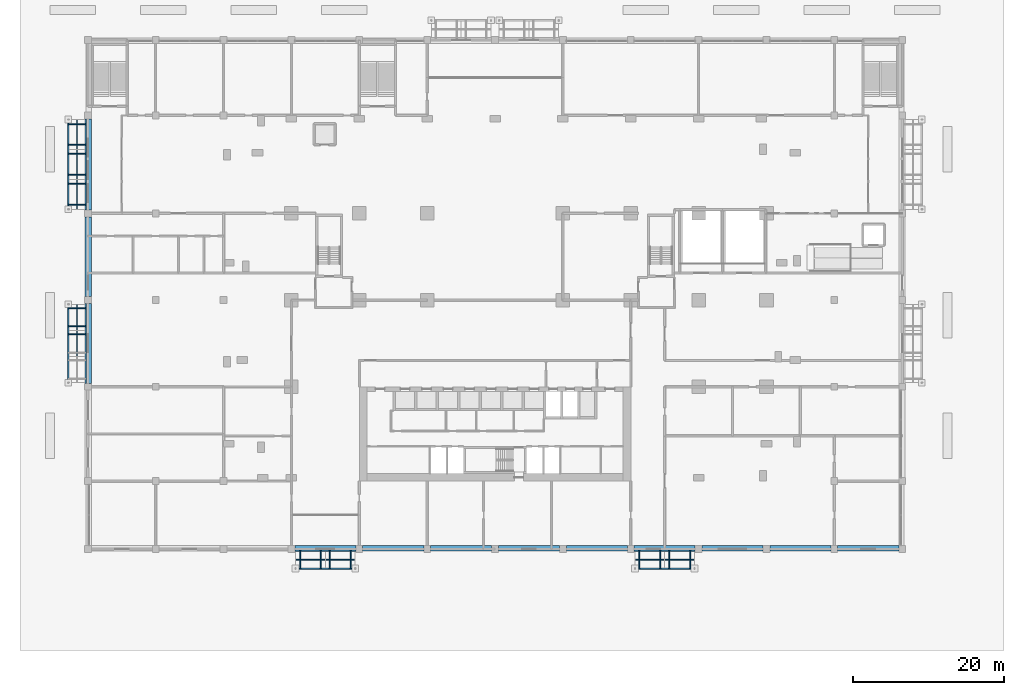
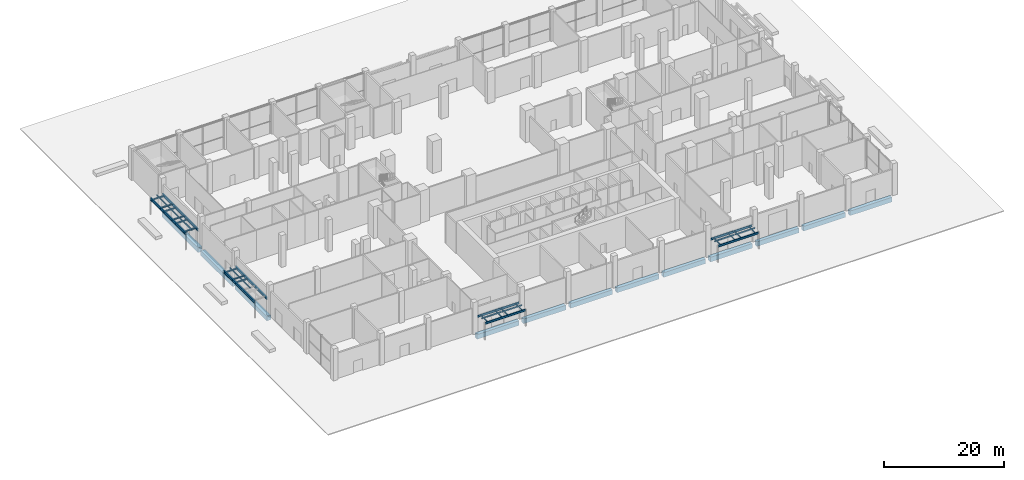
# One storey, part 21 of 39: 37 beams, 9 members.
"""IFC4 building model written with IfcOpenShell, lengths in metres."""

from ifc_helpers import new_model, si_unit, direction, frame, origin, origin_2d, place, context, subcontext, project, spatial, rectangle, hollow_rectangle, i_section, extrude, material, material_profile, profile_set, type_object, element, save


model = new_model("IFC4")

# Units and contexts
model_context = context("Model", 3, precision=1e-05, world=origin(), true_north=direction((0.0, 1.0)))
body_context = subcontext(model_context, "Body", "Model", "MODEL_VIEW")
ifc_project = project(units=[si_unit("LENGTHUNIT", "METRE"), si_unit("AREAUNIT", "SQUARE_METRE"), si_unit("VOLUMEUNIT", "CUBIC_METRE"), si_unit("PLANEANGLEUNIT", "RADIAN"), si_unit("MASSUNIT", "GRAM", prefix="KILO")], contexts=[model_context])

# Site, building, storey
site_placement = place(None, origin())
site = spatial("IfcSite", under=ifc_project, at=site_placement, CompositionType="ELEMENT")
building_placement = place(site_placement, origin())
building = spatial("IfcBuilding", under=site, at=building_placement, Name="Brigalow Station Residences", CompositionType="ELEMENT")
storey_placement = place(building_placement, origin())
storey = spatial("IfcBuildingStorey", under=building, at=storey_placement, Name="L00", CompositionType="ELEMENT", Elevation=0.0)

# Beams
ifc_material_1 = material(Name="Steel Grade 300 to AS/NZS 3679.1", Category="steel")
ifc_material_profile_1 = material_profile(ifc_material_1, i_section(OverallWidth=0.133056640625, OverallDepth=0.203125, WebThickness=0.005859375, FlangeThickness=0.0078125, FilletRadius=0.0087890625, at=origin_2d()), Name="200UB25.4")
ifc_profile_set_1 = profile_set([ifc_material_profile_1], Name="Steel Grade 300 to AS/NZS 3679.1")
beam_type_1 = type_object("IfcBeamType", Name="CANOPY ARM 200UB25.4", PredefinedType="BEAM", material=ifc_profile_set_1)
for number, where, z_axis, x_axis, name in (
    (1, (10.142578125, -9.242919921875, 3.326416015625), (0.0, -1.0, 0.0), (1.0, 0.0, 0.0), "L00/canopy-arm/S-resvest-1-1"),
    (2, (12.907470703125, -9.242919921875, 3.326416015625), (0.0, -1.0, 0.0), (1.0, 0.0, 0.0), "L00/canopy-arm/S-resvest-1-2"),
    (3, (14.092529296875, -9.242919921875, 3.326416015625), (0.0, -1.0, 0.0), (1.0, 0.0, 0.0), "L00/canopy-arm/S-resvest-2-1"),
    (4, (16.857421875, -9.242919921875, 3.326416015625), (0.0, -1.0, 0.0), (1.0, 0.0, 0.0), "L00/canopy-arm/S-resvest-2-2"),
    (5, (55.142578125, -9.242919921875, 3.326416015625), (0.0, -1.0, 0.0), (1.0, 0.0, 0.0), "L00/canopy-arm/S-svc-1-1"),
    (6, (57.907470703125, -9.242919921875, 3.326416015625), (0.0, -1.0, 0.0), (1.0, 0.0, 0.0), "L00/canopy-arm/S-svc-1-2"),
    (7, (59.092529296875, -9.242919921875, 3.326416015625), (0.0, -1.0, 0.0), (1.0, 0.0, 0.0), "L00/canopy-arm/S-svc-2-1"),
    (8, (61.857421875, -9.242919921875, 3.326416015625), (0.0, -1.0, 0.0), (1.0, 0.0, 0.0), "L00/canopy-arm/S-svc-2-2"),
):
    element("IfcBeam", number, at=place(storey_placement, frame(where, z_axis=z_axis, x_axis=x_axis)), inside=storey, type_object=beam_type_1, Name=name, PredefinedType="BEAM", context=body_context, shape_type="SweptSolid", body=[
        extrude(i_section(OverallWidth=0.133056640625, OverallDepth=0.203125, WebThickness=0.005859375, FlangeThickness=0.0078125, FilletRadius=0.0087890625, at=origin_2d()), origin(), (0.0, 0.0, 1.0), 2.3642578125),
    ])
for number, where, z_axis, x_axis, name in (
    (9, (-18.259521484375, 36.64501953125, 3.326416015625), (-1.0, 0.0, 0.0), (0.0, -1.0, 0.0), "L00/canopy-arm/W-entry-1-1"),
    (10, (-18.259521484375, 39.421630859375, 3.326416015625), (-1.0, 0.0, 0.0), (0.0, -1.0, 0.0), "L00/canopy-arm/W-entry-1-2"),
    (11, (-18.259521484375, 40.61181640625, 3.326416015625), (-1.0, 0.0, 0.0), (0.0, -1.0, 0.0), "L00/canopy-arm/W-entry-2-1"),
    (12, (-18.259521484375, 43.38818359375, 3.326416015625), (-1.0, 0.0, 0.0), (0.0, -1.0, 0.0), "L00/canopy-arm/W-entry-2-2"),
    (13, (-18.259521484375, 44.578369140625, 3.326416015625), (-1.0, 0.0, 0.0), (0.0, -1.0, 0.0), "L00/canopy-arm/W-entry-3-1"),
    (14, (-18.259521484375, 47.35498046875, 3.326416015625), (-1.0, 0.0, 0.0), (0.0, -1.0, 0.0), "L00/canopy-arm/W-entry-3-2"),
    (15, (-18.259521484375, 19.46337890625, 3.326416015625), (-1.0, 0.0, 0.0), (0.0, -1.0, 0.0), "L00/canopy-arm/W-exit-2-2"),
    (16, (-18.259521484375, 20.50341796875, 3.326416015625), (-1.0, 0.0, 0.0), (0.0, -1.0, 0.0), "L00/canopy-arm/W-exit-3-1"),
    (17, (-18.259521484375, 22.929931640625, 3.326416015625), (-1.0, 0.0, 0.0), (0.0, -1.0, 0.0), "L00/canopy-arm/W-exit-3-2"),
):
    element("IfcBeam", number, at=place(storey_placement, frame(where, z_axis=z_axis, x_axis=x_axis)), inside=storey, type_object=beam_type_1, Name=name, PredefinedType="BEAM", context=body_context, shape_type="SweptSolid", body=[
        extrude(i_section(OverallWidth=0.133056640625, OverallDepth=0.203125, WebThickness=0.005859375, FlangeThickness=0.0078125, FilletRadius=0.0087890625, at=origin_2d()), origin(), (0.0, 0.0, 1.0), 2.330810546875),
    ])
ifc_material_2 = material(Name="Steel Grade 300 to AS/NZS 3679.1", Category="steel")
ifc_material_profile_2 = material_profile(ifc_material_2, i_section(OverallWidth=0.177978515625, OverallDepth=0.406494140625, WebThickness=0.0078125, FlangeThickness=0.0126953125, FilletRadius=0.011474609375, at=origin_2d()), Name="410UB59.7")
ifc_profile_set_2 = profile_set([ifc_material_profile_2], Name="Steel Grade 300 to AS/NZS 3679.1")
beam_type_2 = type_object("IfcBeamType", Name="CANOPY EDGE BEAM 410UB59.7", PredefinedType="BEAM", material=ifc_profile_set_2)
beam_1_placement = place(storey_placement, frame((9.449951171875, -9.239013671875, 3.27490234375), z_axis=(1.0, 0.0, 0.0), x_axis=(0.0, 1.0, 0.0)))
element("IfcBeam", 18, at=beam_1_placement, inside=storey, type_object=beam_type_2, Name="L00/canopy-beam/S-resvest", PredefinedType="BEAM", context=body_context, shape_type="SweptSolid", body=[
    extrude(i_section(OverallWidth=0.177978515625, OverallDepth=0.406494140625, WebThickness=0.0078125, FlangeThickness=0.0126953125, FilletRadius=0.011474609375, at=origin_2d()), origin(), (0.0, 0.0, 1.0), 8.10009765625),
])
beam_2_placement = place(storey_placement, frame((9.60009765625, -11.611083984375, 3.27490234375), z_axis=(1.0, 0.0, 0.0), x_axis=(0.0, 1.0, 0.0)))
element("IfcBeam", 19, at=beam_2_placement, inside=storey, type_object=beam_type_2, Name="L00/canopy-tip/S-resvest", PredefinedType="BEAM", context=body_context, shape_type="SweptSolid", body=[
    extrude(i_section(OverallWidth=0.177978515625, OverallDepth=0.406494140625, WebThickness=0.0078125, FlangeThickness=0.0126953125, FilletRadius=0.011474609375, at=origin_2d()), origin(), (0.0, 0.0, 1.0), 7.7998046875),
])
beam_3_placement = place(storey_placement, frame((54.449951171875, -9.239013671875, 3.27490234375), z_axis=(1.0, 0.0, 0.0), x_axis=(0.0, 1.0, 0.0)))
element("IfcBeam", 20, at=beam_3_placement, inside=storey, type_object=beam_type_2, Name="L00/canopy-beam/S-svc", PredefinedType="BEAM", context=body_context, shape_type="SweptSolid", body=[
    extrude(i_section(OverallWidth=0.177978515625, OverallDepth=0.406494140625, WebThickness=0.0078125, FlangeThickness=0.0126953125, FilletRadius=0.011474609375, at=origin_2d()), origin(), (0.0, 0.0, 1.0), 8.10009765625),
])
beam_4_placement = place(storey_placement, frame((54.60009765625, -11.611083984375, 3.27490234375), z_axis=(1.0, 0.0, 0.0), x_axis=(0.0, 1.0, 0.0)))
element("IfcBeam", 21, at=beam_4_placement, inside=storey, type_object=beam_type_2, Name="L00/canopy-tip/S-svc", PredefinedType="BEAM", context=body_context, shape_type="SweptSolid", body=[
    extrude(i_section(OverallWidth=0.177978515625, OverallDepth=0.406494140625, WebThickness=0.0078125, FlangeThickness=0.0126953125, FilletRadius=0.011474609375, at=origin_2d()), origin(), (0.0, 0.0, 1.0), 7.7998046875),
])
ifc_material_3 = material(Name="Steel Grade 300 to AS/NZS 3679.1", Category="steel")
ifc_material_profile_3 = material_profile(ifc_material_3, i_section(OverallWidth=0.208984375, OverallDepth=0.532958984375, WebThickness=0.01025390625, FlangeThickness=0.015625, FilletRadius=0.013916015625, at=origin_2d()), Name="530UB92.4")
ifc_profile_set_3 = profile_set([ifc_material_profile_3], Name="Steel Grade 300 to AS/NZS 3679.1")
beam_type_3 = type_object("IfcBeamType", Name="CANOPY EDGE BEAM OVER 10 M SPAN 530UB92.4", PredefinedType="BEAM", material=ifc_profile_set_3)
beam_5_placement = place(storey_placement, frame((-18.25439453125, 35.949951171875, 3.21142578125), z_axis=(0.0, 1.0, 0.0), x_axis=(-1.0, 0.0, 0.0)))
element("IfcBeam", 22, at=beam_5_placement, inside=storey, type_object=beam_type_3, Name="L00/canopy-beam/W-entry", PredefinedType="BEAM", context=body_context, shape_type="SweptSolid", body=[
    extrude(i_section(OverallWidth=0.208984375, OverallDepth=0.532958984375, WebThickness=0.01025390625, FlangeThickness=0.015625, FilletRadius=0.013916015625, at=origin_2d()), origin(), (0.0, 0.0, 1.0), 12.10009765625),
])
beam_6_placement = place(storey_placement, frame((-20.595458984375, 36.10009765625, 3.21142578125), z_axis=(0.0, 1.0, 0.0), x_axis=(-1.0, 0.0, 0.0)))
element("IfcBeam", 23, at=beam_6_placement, inside=storey, type_object=beam_type_3, Name="L00/canopy-tip/W-entry", PredefinedType="BEAM", context=body_context, shape_type="SweptSolid", body=[
    extrude(i_section(OverallWidth=0.208984375, OverallDepth=0.532958984375, WebThickness=0.01025390625, FlangeThickness=0.015625, FilletRadius=0.013916015625, at=origin_2d()), origin(), (0.0, 0.0, 1.0), 11.7998046875),
])
beam_7_placement = place(storey_placement, frame((-18.25439453125, 12.949951171875, 3.21142578125), z_axis=(0.0, 1.0, 0.0), x_axis=(-1.0, 0.0, 0.0)))
element("IfcBeam", 24, at=beam_7_placement, inside=storey, type_object=beam_type_3, Name="L00/canopy-beam/W-exit", PredefinedType="BEAM", context=body_context, shape_type="SweptSolid", body=[
    extrude(i_section(OverallWidth=0.208984375, OverallDepth=0.532958984375, WebThickness=0.01025390625, FlangeThickness=0.015625, FilletRadius=0.013916015625, at=origin_2d()), origin(), (0.0, 0.0, 1.0), 10.60009765625),
])
beam_8_placement = place(storey_placement, frame((-20.595458984375, 13.10009765625, 3.21142578125), z_axis=(0.0, 1.0, 0.0), x_axis=(-1.0, 0.0, 0.0)))
element("IfcBeam", 25, at=beam_8_placement, inside=storey, type_object=beam_type_3, Name="L00/canopy-tip/W-exit", PredefinedType="BEAM", context=body_context, shape_type="SweptSolid", body=[
    extrude(i_section(OverallWidth=0.208984375, OverallDepth=0.532958984375, WebThickness=0.01025390625, FlangeThickness=0.015625, FilletRadius=0.013916015625, at=origin_2d()), origin(), (0.0, 0.0, 1.0), 10.2998046875),
])

# Members
ifc_material_4 = material(Name="Steel Grade C450L0 to AS/NZS 1163", Category="steel")
ifc_material_profile_4 = material_profile(ifc_material_4, hollow_rectangle(XDim=0.14990234375, YDim=0.25, WallThickness=0.009033203125, InnerFilletRadius=0.013427734375, OuterFilletRadius=0.0224609375, at=origin_2d()), Name="250x150x9.0RHS")
ifc_profile_set_4 = profile_set([ifc_material_profile_4], Name="Steel Grade C450L0 to AS/NZS 1163")
member_type = type_object("IfcMemberType", Name="CANOPY GLAZING RAIL 250x150x9.0RHS", PredefinedType="MEMBER", material=ifc_profile_set_4)
for number, where, z_axis, x_axis, name in (
    (26, (9.610107421875, -10.425048828125, 3.552978515625), (1.0, 0.0, 0.0), (0.0, 1.0, 0.0), "L00/canopy-rail/S-resvest-1"),
    (27, (13.56005859375, -10.425048828125, 3.552978515625), (1.0, 0.0, 0.0), (0.0, 1.0, 0.0), "L00/canopy-rail/S-resvest-2"),
    (28, (54.610107421875, -10.425048828125, 3.552978515625), (1.0, 0.0, 0.0), (0.0, 1.0, 0.0), "L00/canopy-rail/S-svc-1"),
    (29, (58.56005859375, -10.425048828125, 3.552978515625), (1.0, 0.0, 0.0), (0.0, 1.0, 0.0), "L00/canopy-rail/S-svc-2"),
):
    element("IfcMember", number, at=place(storey_placement, frame(where, z_axis=z_axis, x_axis=x_axis)), inside=storey, type_object=member_type, Name=name, PredefinedType="MEMBER", context=body_context, shape_type="SweptSolid", body=[
        extrude(hollow_rectangle(XDim=0.14990234375, YDim=0.25, WallThickness=0.009033203125, InnerFilletRadius=0.013427734375, OuterFilletRadius=0.0224609375, at=origin_2d()), origin(), (0.0, 0.0, 1.0), 3.829833984375),
    ])
for number, where, z_axis, x_axis, name in (
    (30, (-19.425048828125, 36.110107421875, 3.552978515625), (0.0, 1.0, 0.0), (-1.0, 0.0, 0.0), "L00/canopy-rail/W-entry-1"),
    (31, (-19.425048828125, 40.07666015625, 3.552978515625), (0.0, 1.0, 0.0), (-1.0, 0.0, 0.0), "L00/canopy-rail/W-entry-2"),
    (32, (-19.425048828125, 44.043212890625, 3.552978515625), (0.0, 1.0, 0.0), (-1.0, 0.0, 0.0), "L00/canopy-rail/W-entry-3"),
):
    element("IfcMember", number, at=place(storey_placement, frame(where, z_axis=z_axis, x_axis=x_axis)), inside=storey, type_object=member_type, Name=name, PredefinedType="MEMBER", context=body_context, shape_type="SweptSolid", body=[
        extrude(hollow_rectangle(XDim=0.14990234375, YDim=0.25, WallThickness=0.009033203125, InnerFilletRadius=0.013427734375, OuterFilletRadius=0.0224609375, at=origin_2d()), origin(), (0.0, 0.0, 1.0), 3.8466796875),
    ])
for number, where, z_axis, x_axis, name in (
    (33, (-19.425048828125, 16.57666015625, 3.552978515625), (0.0, 1.0, 0.0), (-1.0, 0.0, 0.0), "L00/canopy-rail/W-exit-2"),
    (34, (-19.425048828125, 20.043212890625, 3.552978515625), (0.0, 1.0, 0.0), (-1.0, 0.0, 0.0), "L00/canopy-rail/W-exit-3"),
):
    element("IfcMember", number, at=place(storey_placement, frame(where, z_axis=z_axis, x_axis=x_axis)), inside=storey, type_object=member_type, Name=name, PredefinedType="MEMBER", context=body_context, shape_type="SweptSolid", body=[
        extrude(hollow_rectangle(XDim=0.14990234375, YDim=0.25, WallThickness=0.009033203125, InnerFilletRadius=0.013427734375, OuterFilletRadius=0.0224609375, at=origin_2d()), origin(), (0.0, 0.0, 1.0), 3.3466796875),
    ])

# Beams
ifc_material_5 = material(Name="Concrete C65", Category="concrete")
ifc_material_profile_5 = material_profile(ifc_material_5, rectangle(XDim=0.699951171875, YDim=0.949951171875, at=origin_2d()), Name="RC700x950")
ifc_profile_set_5 = profile_set([ifc_material_profile_5], Name="Concrete C65")
beam_type_4 = type_object("IfcBeamType", Name="EDGE GIRDER 4.5 TO 9.9 M SPAN 700x950 C65", PredefinedType="BEAM", material=ifc_profile_set_5)
for number, where, z_axis, x_axis, name in (
    (35, (9.449951171875, -8.89990234375, -0.876953125), (1.0, 0.0, 0.0), (0.0, 1.0, 0.0), "PODIUM EDGE GIRDER S4 L00"),
    (36, (18.449951171875, -8.89990234375, -0.876953125), (1.0, 0.0, 0.0), (0.0, 1.0, 0.0), "PODIUM EDGE GIRDER S5 L00"),
    (37, (27.449951171875, -8.89990234375, -0.876953125), (1.0, 0.0, 0.0), (0.0, 1.0, 0.0), "PODIUM EDGE GIRDER S6 L00"),
    (38, (36.449951171875, -8.89990234375, -0.876953125), (1.0, 0.0, 0.0), (0.0, 1.0, 0.0), "PODIUM EDGE GIRDER S7 L00"),
    (39, (45.449951171875, -8.89990234375, -0.876953125), (1.0, 0.0, 0.0), (0.0, 1.0, 0.0), "PODIUM EDGE GIRDER S8 L00"),
    (40, (54.449951171875, -8.89990234375, -0.876953125), (1.0, 0.0, 0.0), (0.0, 1.0, 0.0), "PODIUM EDGE GIRDER S9 L00"),
    (41, (63.449951171875, -8.89990234375, -0.876953125), (1.0, 0.0, 0.0), (0.0, 1.0, 0.0), "PODIUM EDGE GIRDER S10 L00"),
    (42, (72.449951171875, -8.89990234375, -0.876953125), (1.0, 0.0, 0.0), (0.0, 1.0, 0.0), "PODIUM EDGE GIRDER S11 L00"),
    (43, (81.449951171875, -8.89990234375, -0.876953125), (1.0, 0.0, 0.0), (0.0, 1.0, 0.0), "PODIUM EDGE GIRDER S12 L00"),
):
    element("IfcBeam", number, at=place(storey_placement, frame(where, z_axis=z_axis, x_axis=x_axis)), inside=storey, type_object=beam_type_4, Name=name, PredefinedType="BEAM", context=body_context, shape_type="SweptSolid", body=[
        extrude(rectangle(XDim=0.699951171875, YDim=0.949951171875, at=origin_2d()), origin(), (0.0, 0.0, 1.0), 8.10009765625),
    ])
ifc_material_6 = material(Name="Concrete C65", Category="concrete")
ifc_material_profile_6 = material_profile(ifc_material_6, rectangle(XDim=0.800048828125, YDim=0.949951171875, at=origin_2d()), Name="RC800x950")
ifc_profile_set_6 = profile_set([ifc_material_profile_6], Name="Concrete C65")
beam_type_5 = type_object("IfcBeamType", Name="EDGE GIRDER OVER 9.9 M SPAN 800x950 C65", PredefinedType="BEAM", material=ifc_profile_set_6)
for number, where, z_axis, x_axis, name in (
    (44, (-17.949951171875, 12.949951171875, -0.876953125), (0.0, 1.0, 0.0), (-1.0, 0.0, 0.0), "PODIUM EDGE GIRDER W33 L00"),
    (45, (-17.949951171875, 24.449951171875, -0.876953125), (0.0, 1.0, 0.0), (-1.0, 0.0, 0.0), "PODIUM EDGE GIRDER W34 L00"),
):
    element("IfcBeam", number, at=place(storey_placement, frame(where, z_axis=z_axis, x_axis=x_axis)), inside=storey, type_object=beam_type_5, Name=name, PredefinedType="BEAM", context=body_context, shape_type="SweptSolid", body=[
        extrude(rectangle(XDim=0.800048828125, YDim=0.949951171875, at=origin_2d()), origin(), (0.0, 0.0, 1.0), 10.60009765625),
    ])
beam_9_placement = place(storey_placement, frame((-17.949951171875, 35.949951171875, -0.876953125), z_axis=(0.0, 1.0, 0.0), x_axis=(-1.0, 0.0, 0.0)))
element("IfcBeam", 46, at=beam_9_placement, inside=storey, type_object=beam_type_5, Name="PODIUM EDGE GIRDER W35 L00", PredefinedType="BEAM", context=body_context, shape_type="SweptSolid", body=[
    extrude(rectangle(XDim=0.800048828125, YDim=0.949951171875, at=origin_2d()), origin(), (0.0, 0.0, 1.0), 12.10009765625),
])

save(model, "model.ifc")
